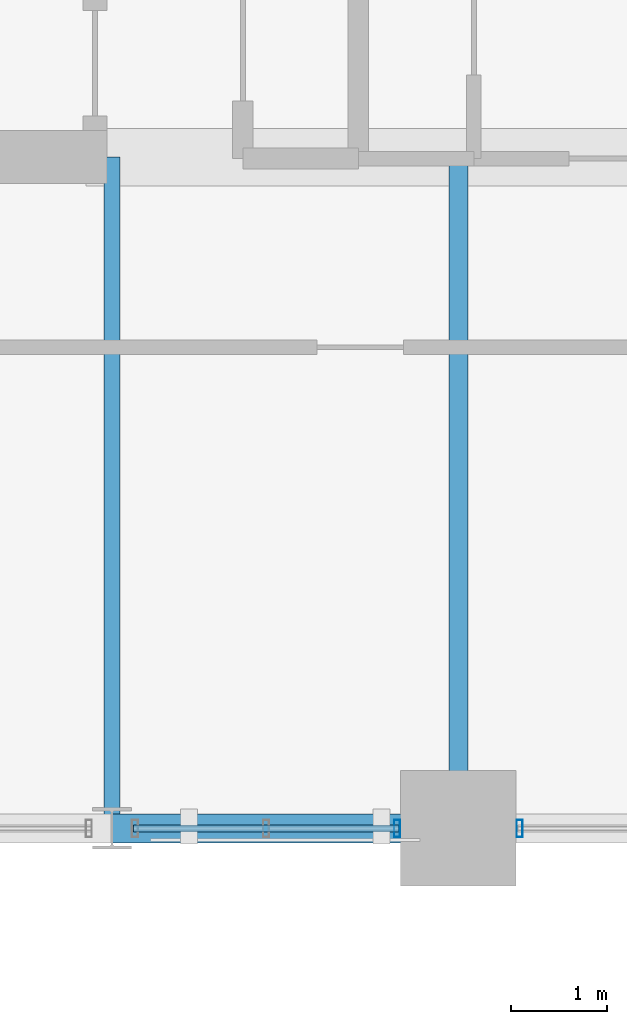
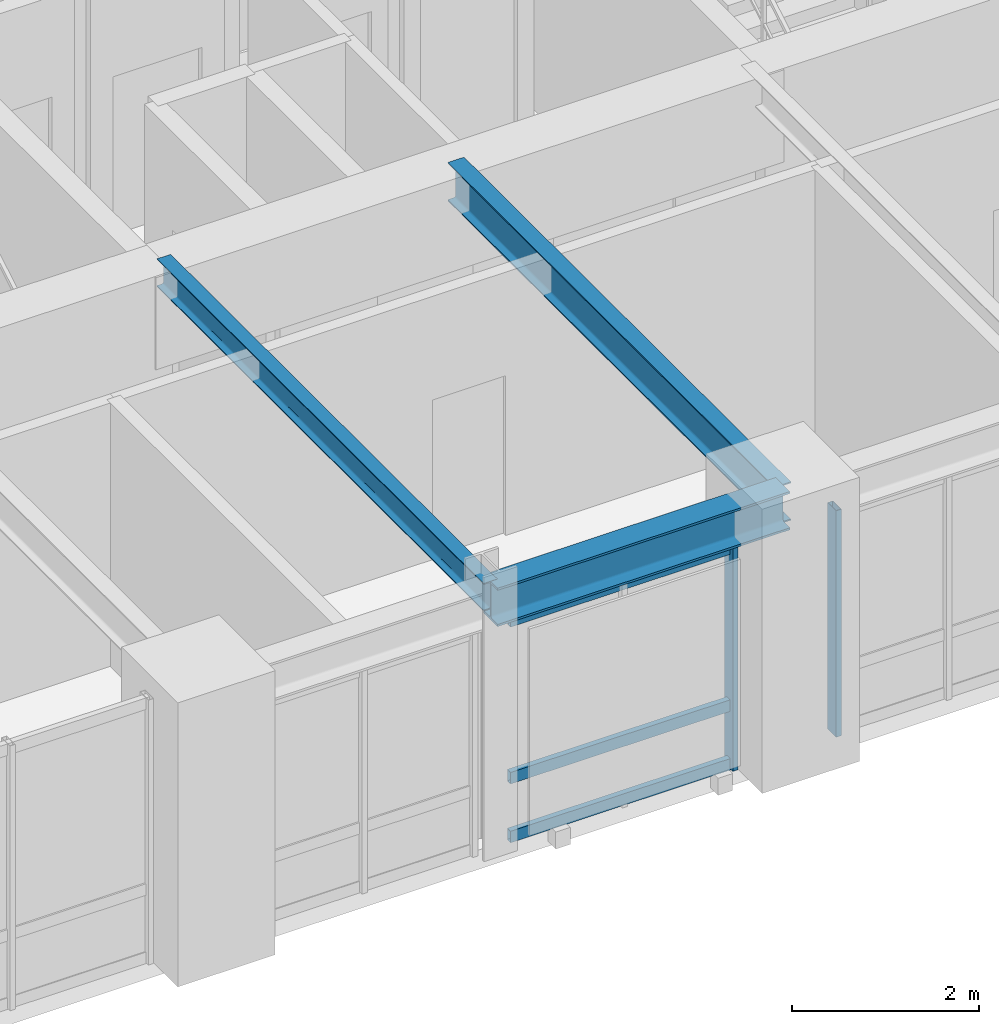
# One storey, part 3 of 16: 5 members, 3 beams, 2 elements without a shape of their own.
"""IFC4 building model written with IfcOpenShell, lengths in metres."""

from ifc_helpers import new_model, si_unit, direction, frame, origin, origin_2d, place, context, subcontext, project, spatial, hollow_rectangle, i_section, extrude, source, transform, mapped, material, layer, layer_set, material_profile, profile_set, type_object, element, aggregate, save


model = new_model("IFC4")

# Units and contexts
model_context = context("Model", 3, precision=1e-05, world=origin(), true_north=direction((0.0, 1.0)))
body_context = subcontext(model_context, "Body", "Model", "MODEL_VIEW")
ifc_project = project(units=[si_unit("LENGTHUNIT", "METRE"), si_unit("AREAUNIT", "SQUARE_METRE"), si_unit("VOLUMEUNIT", "CUBIC_METRE"), si_unit("PLANEANGLEUNIT", "RADIAN"), si_unit("MASSUNIT", "GRAM", prefix="KILO")], contexts=[model_context])

# Site, building, storey
site_placement = place(None, origin())
site = spatial("IfcSite", under=ifc_project, at=site_placement, CompositionType="ELEMENT")
building_placement = place(site_placement, origin())
building = spatial("IfcBuilding", under=site, at=building_placement, Name="Kaliganga Portal Commons", CompositionType="ELEMENT")
storey_placement = place(building_placement, frame((0.0, 0.0, 82.300048828125)))
storey = spatial("IfcBuildingStorey", under=building, at=storey_placement, Name="L20", CompositionType="ELEMENT", Elevation=82.300048828125)

# Beams
ifc_material_1 = material(Name="Structural steel S355J2", Category="steel")
ifc_material_profile_1 = material_profile(ifc_material_1, i_section(OverallWidth=0.300048828125, OverallDepth=0.5, WebThickness=0.014404296875, FlangeThickness=0.028076171875, FilletRadius=0.027099609375, at=origin_2d()), Name="HE 500 B")
ifc_profile_set_1 = profile_set([ifc_material_profile_1], Name="Structural steel S355J2 wide-flange")
beam_type_1 = type_object("IfcBeamType", Name="BM-SPAND-500", PredefinedType="SPANDREL", material=ifc_profile_set_1)
shared_shape_1 = source(origin(), body_context, "Body", "SweptSolid", [
    extrude(i_section(OverallWidth=0.300048828125, OverallDepth=0.5, WebThickness=0.014404296875, FlangeThickness=0.028076171875, FilletRadius=0.027099609375, at=origin_2d()), origin(), (0.0, 0.0, 1.0), 3.60009765625),
])
beam_1_placement = place(storey_placement, frame((18.0, 21.60009765625, 3.199951171875), z_axis=(1.0, 0.0, 0.0), x_axis=(0.0, 1.0, 0.0)))
element("IfcBeam", 1, at=beam_1_placement, inside=storey, type_object=beam_type_1, Name="BM SP L20 AS 2", PredefinedType="SPANDREL", context=body_context, shape_type="MappedRepresentation", body=[
    mapped(shared_shape_1, transform((0.0, 0.0, 0.0), x_axis=(1.0, 0.0, 0.0), y_axis=(0.0, 1.0, 0.0), z_axis=(0.0, 0.0, 1.0), scale=1.0)),
])
ifc_material_profile_2 = material_profile(ifc_material_1, i_section(OverallWidth=0.169921875, OverallDepth=0.360107421875, WebThickness=0.008056640625, FlangeThickness=0.0126953125, FilletRadius=0.01806640625, at=origin_2d()), Name="IPE 360")
ifc_profile_set_2 = profile_set([ifc_material_profile_2], Name="Structural steel S355J2 wide-flange")
beam_type_2 = type_object("IfcBeamType", Name="BM-JST-360", PredefinedType="JOIST", material=ifc_profile_set_2)
shared_shape_2 = source(origin(), body_context, "Body", "SweptSolid", [
    extrude(i_section(OverallWidth=0.169921875, OverallDepth=0.360107421875, WebThickness=0.008056640625, FlangeThickness=0.0126953125, FilletRadius=0.01806640625, at=origin_2d()), origin(), (0.0, 0.0, 1.0), 6.974853515625),
])
beam_2_placement = place(storey_placement, frame((18.0, 21.60009765625, 3.27001953125), z_axis=(0.0, 1.0, 0.0), x_axis=(-1.0, 0.0, 0.0)))
element("IfcBeam", 2, at=beam_2_placement, inside=storey, type_object=beam_type_2, Name="BM G L20 AS180", PredefinedType="JOIST", context=body_context, shape_type="MappedRepresentation", body=[
    mapped(shared_shape_2, transform((0.0, 0.0, 0.0), x_axis=(1.0, 0.0, 0.0), y_axis=(0.0, 1.0, 0.0), z_axis=(0.0, 0.0, 1.0), scale=1.0)),
])
ifc_material_profile_3 = material_profile(ifc_material_1, i_section(OverallWidth=0.199951171875, OverallDepth=0.5, WebThickness=0.01025390625, FlangeThickness=0.01611328125, FilletRadius=0.02099609375, at=origin_2d()), Name="IPE 500")
ifc_profile_set_3 = profile_set([ifc_material_profile_3], Name="Structural steel S355J2 wide-flange")
beam_type_3 = type_object("IfcBeamType", Name="BM-FLR-500", PredefinedType="BEAM", material=ifc_profile_set_3)
shared_shape_3 = source(origin(), body_context, "Body", "SweptSolid", [
    extrude(i_section(OverallWidth=0.199951171875, OverallDepth=0.5, WebThickness=0.01025390625, FlangeThickness=0.01611328125, FilletRadius=0.02099609375, at=origin_2d()), origin(), (0.0, 0.0, 1.0), 6.974853515625),
])
beam_3_placement = place(storey_placement, frame((21.60009765625, 21.60009765625, 3.199951171875), z_axis=(0.0, 1.0, 0.0), x_axis=(-1.0, 0.0, 0.0)))
element("IfcBeam", 3, at=beam_3_placement, inside=storey, type_object=beam_type_3, Name="BM G L20 AS216", PredefinedType="BEAM", context=body_context, shape_type="MappedRepresentation", body=[
    mapped(shared_shape_3, transform((0.0, 0.0, 0.0), x_axis=(1.0, 0.0, 0.0), y_axis=(0.0, 1.0, 0.0), z_axis=(0.0, 0.0, 1.0), scale=1.0)),
])

# Curtain wall, member
ifc_material_2 = material(Name="Anodized Aluminium and Laminated Low-E Glass", Category="aluminium")
ifc_layer = layer(ifc_material_2, 0.2099609375)
ifc_layer_set = layer_set([ifc_layer], Name="Anodized Aluminium and Laminated Low-E Glass")
curtain_wall_type = type_object("IfcCurtainWallType", Name="CW-SYS-03", PredefinedType="NOTDEFINED", material=ifc_layer_set)
curtain_wall_1_placement = place(storey_placement, origin())
curtain_wall_1 = element("IfcCurtainWall", 4, at=curtain_wall_1_placement, inside=storey, type_object=curtain_wall_type, Name="CW 03 L20 P1E04S3", PredefinedType="NOTDEFINED")
ifc_material_3 = material(Name="Dark Bronze Anodized Aluminium", Category="aluminium")
ifc_material_profile_4 = material_profile(ifc_material_3, hollow_rectangle(XDim=0.06494140625, YDim=0.179931640625, WallThickness=0.00390625, at=origin_2d()), Name="ALU MULL 65x180x4")
ifc_profile_set_4 = profile_set([ifc_material_profile_4], Name="Dark Bronze Anodized Aluminium")
member_type_1 = type_object("IfcMemberType", Name="CW-MUL-180", PredefinedType="MULLION", material=ifc_profile_set_4)
shared_shape_4 = source(origin(), body_context, "Body", "SweptSolid", [
    extrude(hollow_rectangle(XDim=0.06494140625, YDim=0.179931640625, WallThickness=0.00390625, at=origin_2d()), origin(), (0.0, 0.0, 1.0), 2.949951171875),
])
member_1_placement = place(storey_placement, frame((20.964111328125, 21.60009765625, 0.0), z_axis=(0.0, 0.0, 1.0), x_axis=(1.0, 0.0, 0.0)))
member_1 = element("IfcMember", 5, at=member_1_placement, type_object=member_type_1, Name="CW:03:L20:P1E04S3 Mullion 02", PredefinedType="MULLION", context=body_context, shape_type="MappedRepresentation", body=[
    mapped(shared_shape_4, transform((0.0, 0.0, 0.0), x_axis=(1.0, 0.0, 0.0), y_axis=(0.0, 1.0, 0.0), z_axis=(0.0, 0.0, 1.0), scale=1.0)),
])

curtain_wall_2_placement = place(storey_placement, origin())
curtain_wall_2 = element("IfcCurtainWall", 6, at=curtain_wall_2_placement, inside=storey, type_object=curtain_wall_type, Name="CW 03 L20 P1E04S4", PredefinedType="NOTDEFINED")
member_2_placement = place(storey_placement, frame((22.236083984375, 21.60009765625, 0.0), z_axis=(0.0, 0.0, 1.0), x_axis=(1.0, 0.0, 0.0)))
member_2 = element("IfcMember", 7, at=member_2_placement, type_object=member_type_1, Name="CW:03:L20:P1E04S4 Mullion 00", PredefinedType="MULLION", context=body_context, shape_type="MappedRepresentation", body=[
    mapped(shared_shape_4, transform((0.0, 0.0, 0.0), x_axis=(1.0, 0.0, 0.0), y_axis=(0.0, 1.0, 0.0), z_axis=(0.0, 0.0, 1.0), scale=1.0)),
])
aggregate(curtain_wall_2, [member_2])

# Member
ifc_material_profile_5 = material_profile(ifc_material_3, hollow_rectangle(XDim=0.070068359375, YDim=0.14990234375, WallThickness=0.00341796875, at=origin_2d()), Name="ALU TRAN 70x150x3.5")
ifc_profile_set_5 = profile_set([ifc_material_profile_5], Name="Dark Bronze Anodized Aluminium")
member_type_2 = type_object("IfcMemberType", Name="CW-TRN-150", PredefinedType="USERDEFINED", material=ifc_profile_set_5)
shared_shape_5 = source(origin(), body_context, "Body", "SweptSolid", [
    extrude(hollow_rectangle(XDim=0.070068359375, YDim=0.14990234375, WallThickness=0.00341796875, at=origin_2d()), origin(), (0.0, 0.0, 1.0), 2.75341796875),
])
member_3_placement = place(storey_placement, frame((18.2255859375, 21.60009765625, 0.06005859375), z_axis=(1.0, 0.0, 0.0), x_axis=(0.0, 1.0, 0.0)))
member_3 = element("IfcMember", 8, at=member_3_placement, type_object=member_type_2, Name="CW:03:L20:P1E04S3 Transom 1", ObjectType="TRANSOM", PredefinedType="USERDEFINED", context=body_context, shape_type="MappedRepresentation", body=[
    mapped(shared_shape_5, transform((0.0, 0.0, 0.0), x_axis=(1.0, 0.0, 0.0), y_axis=(0.0, 1.0, 0.0), z_axis=(0.0, 0.0, 1.0), scale=1.0)),
])

member_4_placement = place(storey_placement, frame((18.2255859375, 21.60009765625, 0.825927734375), z_axis=(1.0, 0.0, 0.0), x_axis=(0.0, 1.0, 0.0)))
member_4 = element("IfcMember", 9, at=member_4_placement, type_object=member_type_2, Name="CW:03:L20:P1E04S3 Transom 2", ObjectType="TRANSOM", PredefinedType="USERDEFINED", context=body_context, shape_type="MappedRepresentation", body=[
    mapped(shared_shape_5, transform((0.0, 0.0, 0.0), x_axis=(1.0, 0.0, 0.0), y_axis=(0.0, 1.0, 0.0), z_axis=(0.0, 0.0, 1.0), scale=1.0)),
])

member_5_placement = place(storey_placement, frame((18.2255859375, 21.60009765625, 2.869873046875), z_axis=(1.0, 0.0, 0.0), x_axis=(0.0, 1.0, 0.0)))
member_5 = element("IfcMember", 10, at=member_5_placement, type_object=member_type_2, Name="CW:03:L20:P1E04S3 Transom 3", ObjectType="TRANSOM", PredefinedType="USERDEFINED", context=body_context, shape_type="MappedRepresentation", body=[
    mapped(shared_shape_5, transform((0.0, 0.0, 0.0), x_axis=(1.0, 0.0, 0.0), y_axis=(0.0, 1.0, 0.0), z_axis=(0.0, 0.0, 1.0), scale=1.0)),
])

aggregate(curtain_wall_1, [member_1, member_3, member_4, member_5])

save(model, "model.ifc")
